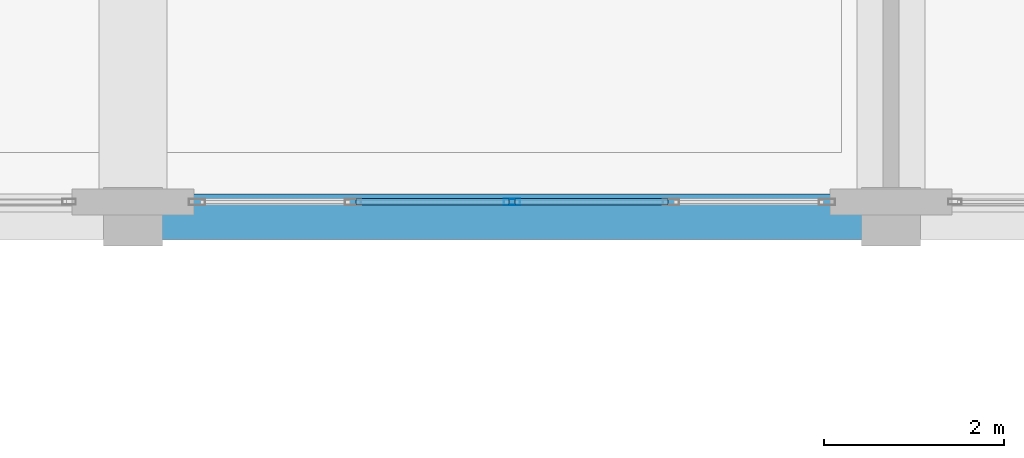
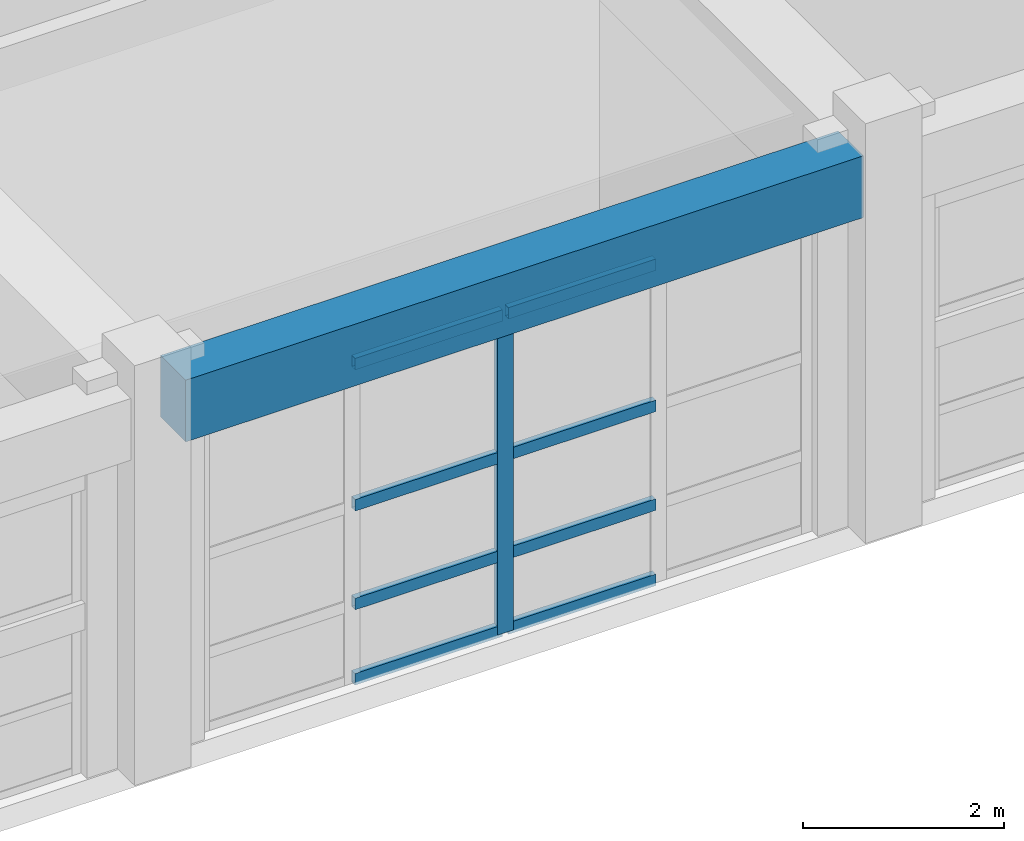
# One storey, part 32 of 78: 9 members, 1 beam, 1 element without a shape of its own.
"""IFC4 building model written with IfcOpenShell, lengths in metres."""

from ifc_helpers import new_model, si_unit, direction, frame, origin, origin_2d, place, context, subcontext, project, spatial, rectangle, hollow_rectangle, extrude, material, layer, layer_set, material_profile, profile_set, type_object, element, aggregate, save


model = new_model("IFC4")

# Units and contexts
model_context = context("Model", 3, precision=1e-05, world=origin(), true_north=direction((0.0, 1.0)))
body_context = subcontext(model_context, "Body", "Model", "MODEL_VIEW")
ifc_project = project(units=[si_unit("LENGTHUNIT", "METRE"), si_unit("AREAUNIT", "SQUARE_METRE"), si_unit("VOLUMEUNIT", "CUBIC_METRE"), si_unit("PLANEANGLEUNIT", "RADIAN"), si_unit("MASSUNIT", "GRAM", prefix="KILO")], contexts=[model_context])

# Site, building, storey
site_placement = place(None, origin())
site = spatial("IfcSite", under=ifc_project, at=site_placement, CompositionType="ELEMENT")
building_placement = place(site_placement, origin())
building = spatial("IfcBuilding", under=site, at=building_placement, Name="Quendrovan Civic Courthouse", CompositionType="ELEMENT")
storey_placement = place(building_placement, frame((0.0, 0.0, 10.199951171875)))
storey = spatial("IfcBuildingStorey", under=building, at=storey_placement, Name="L03", CompositionType="ELEMENT", Elevation=10.199951171875)

# Beam
ifc_material_1 = material(Name="Concrete C40/50", Category="concrete")
ifc_material_profile_1 = material_profile(ifc_material_1, rectangle(XDim=0.5, YDim=0.75, at=origin_2d()), Name="RC-BM-500x750")
ifc_profile_set_1 = profile_set([ifc_material_profile_1], Name="Concrete C40/50")
beam_type = type_object("IfcBeamType", Name="BM-RC750", PredefinedType="SPANDREL", material=ifc_profile_set_1)
beam_placement = place(storey_placement, frame((59.10498046875, 64.800048828125, 4.28515625), z_axis=(1.0, 0.0, 0.0), x_axis=(0.0, 1.0, 0.0)))
element("IfcBeam", 1, at=beam_placement, inside=storey, type_object=beam_type, Name="L03 Girder X0748", PredefinedType="SPANDREL", context=body_context, shape_type="SweptSolid", body=[
    extrude(rectangle(XDim=0.5, YDim=0.75, at=origin_2d()), origin(), (0.0, 0.0, 1.0), 7.7900390625),
])

# Curtain wall, members
ifc_material_2 = material(Name="Bronze anodised aluminium and low-E glass", Category="aluminium")
ifc_layer = layer(ifc_material_2, 0.179931640625, Name="Bronze anodised aluminium and low-E glass")
ifc_layer_set = layer_set([ifc_layer], Name="Bronze anodised aluminium and low-E glass")
curtain_wall_type = type_object("IfcCurtainWallType", Name="CW-U70x39", PredefinedType="USERDEFINED", material=ifc_layer_set)
curtain_wall_placement = place(storey_placement, origin())
curtain_wall = element("IfcCurtainWall", 2, at=curtain_wall_placement, inside=storey, type_object=curtain_wall_type, Name="L03 Unitised Hurricane Curtain Wall CW-134", ObjectType="UNITISED CURTAIN WALL", PredefinedType="USERDEFINED")
ifc_material_3 = material(Name="Bronze anodised aluminium", Category="aluminium")
ifc_material_profile_2 = material_profile(ifc_material_3, hollow_rectangle(XDim=0.070068359375, YDim=0.179931640625, WallThickness=0.00390625, at=origin_2d()), Name="CW-MULL-70x180")
ifc_profile_set_2 = profile_set([ifc_material_profile_2], Name="Bronze anodised aluminium")
member_type_1 = type_object("IfcMemberType", Name="CW-MULL-A", PredefinedType="MULLION", material=ifc_profile_set_2)
member_1_placement = place(storey_placement, frame((63.0, 64.965087890625, 0.0), z_axis=(0.0, 0.0, 1.0), x_axis=(0.0, -1.0, 0.0)))
member_1 = element("IfcMember", 3, at=member_1_placement, type_object=member_type_1, Name="CW-134 mullion 3", PredefinedType="MULLION", context=body_context, shape_type="SweptSolid", body=[
    extrude(hollow_rectangle(XDim=0.070068359375, YDim=0.179931640625, WallThickness=0.00390625, at=origin_2d()), origin(), (0.0, 0.0, 1.0), 3.900146484375),
])
ifc_material_profile_3 = material_profile(ifc_material_3, hollow_rectangle(XDim=0.070068359375, YDim=0.139892578125, WallThickness=0.00390625, at=origin_2d()), Name="CW-TRAN-70x140")
ifc_profile_set_3 = profile_set([ifc_material_profile_3], Name="Bronze anodised aluminium")
member_type_2 = type_object("IfcMemberType", Name="CW-TRAN-A", PredefinedType="USERDEFINED", material=ifc_profile_set_3)
member_2_placement = place(storey_placement, frame((64.7275390625, 64.965087890625, 0.03515625), z_axis=(-1.0, 0.0, 0.0), x_axis=(0.0, -1.0, 0.0)))
member_2 = element("IfcMember", 4, at=member_2_placement, type_object=member_type_2, Name="CW-134 transom 2.1", ObjectType="TRANSOM", PredefinedType="USERDEFINED", context=body_context, shape_type="SweptSolid", body=[
    extrude(hollow_rectangle(XDim=0.070068359375, YDim=0.139892578125, WallThickness=0.00390625, at=origin_2d()), origin(), (0.0, 0.0, 1.0), 1.692626953125),
])
member_3_placement = place(storey_placement, frame((64.7275390625, 64.965087890625, 0.949951171875), z_axis=(-1.0, 0.0, 0.0), x_axis=(0.0, -1.0, 0.0)))
member_3 = element("IfcMember", 5, at=member_3_placement, type_object=member_type_2, Name="CW-134 transom 2.2", ObjectType="TRANSOM", PredefinedType="USERDEFINED", context=body_context, shape_type="SweptSolid", body=[
    extrude(hollow_rectangle(XDim=0.070068359375, YDim=0.139892578125, WallThickness=0.00390625, at=origin_2d()), origin(), (0.0, 0.0, 1.0), 1.692626953125),
])
member_4_placement = place(storey_placement, frame((64.7275390625, 64.965087890625, 2.150146484375), z_axis=(-1.0, 0.0, 0.0), x_axis=(0.0, -1.0, 0.0)))
member_4 = element("IfcMember", 6, at=member_4_placement, type_object=member_type_2, Name="CW-134 transom 2.3", ObjectType="TRANSOM", PredefinedType="USERDEFINED", context=body_context, shape_type="SweptSolid", body=[
    extrude(hollow_rectangle(XDim=0.070068359375, YDim=0.139892578125, WallThickness=0.00390625, at=origin_2d()), origin(), (0.0, 0.0, 1.0), 1.692626953125),
])
member_5_placement = place(storey_placement, frame((64.7275390625, 64.965087890625, 3.864990234375), z_axis=(-1.0, 0.0, 0.0), x_axis=(0.0, -1.0, 0.0)))
member_5 = element("IfcMember", 7, at=member_5_placement, type_object=member_type_2, Name="CW-134 transom 2.4", ObjectType="TRANSOM", PredefinedType="USERDEFINED", context=body_context, shape_type="SweptSolid", body=[
    extrude(hollow_rectangle(XDim=0.070068359375, YDim=0.139892578125, WallThickness=0.00390625, at=origin_2d()), origin(), (0.0, 0.0, 1.0), 1.692626953125),
])
member_6_placement = place(storey_placement, frame((62.965087890625, 64.965087890625, 0.03515625), z_axis=(-1.0, 0.0, 0.0), x_axis=(0.0, -1.0, 0.0)))
member_6 = element("IfcMember", 8, at=member_6_placement, type_object=member_type_2, Name="CW-134 transom 3.1", ObjectType="TRANSOM", PredefinedType="USERDEFINED", context=body_context, shape_type="SweptSolid", body=[
    extrude(hollow_rectangle(XDim=0.070068359375, YDim=0.139892578125, WallThickness=0.00390625, at=origin_2d()), origin(), (0.0, 0.0, 1.0), 1.692626953125),
])
member_7_placement = place(storey_placement, frame((62.965087890625, 64.965087890625, 0.949951171875), z_axis=(-1.0, 0.0, 0.0), x_axis=(0.0, -1.0, 0.0)))
member_7 = element("IfcMember", 9, at=member_7_placement, type_object=member_type_2, Name="CW-134 transom 3.2", ObjectType="TRANSOM", PredefinedType="USERDEFINED", context=body_context, shape_type="SweptSolid", body=[
    extrude(hollow_rectangle(XDim=0.070068359375, YDim=0.139892578125, WallThickness=0.00390625, at=origin_2d()), origin(), (0.0, 0.0, 1.0), 1.692626953125),
])
member_8_placement = place(storey_placement, frame((62.965087890625, 64.965087890625, 2.150146484375), z_axis=(-1.0, 0.0, 0.0), x_axis=(0.0, -1.0, 0.0)))
member_8 = element("IfcMember", 10, at=member_8_placement, type_object=member_type_2, Name="CW-134 transom 3.3", ObjectType="TRANSOM", PredefinedType="USERDEFINED", context=body_context, shape_type="SweptSolid", body=[
    extrude(hollow_rectangle(XDim=0.070068359375, YDim=0.139892578125, WallThickness=0.00390625, at=origin_2d()), origin(), (0.0, 0.0, 1.0), 1.692626953125),
])
member_9_placement = place(storey_placement, frame((62.965087890625, 64.965087890625, 3.864990234375), z_axis=(-1.0, 0.0, 0.0), x_axis=(0.0, -1.0, 0.0)))
member_9 = element("IfcMember", 11, at=member_9_placement, type_object=member_type_2, Name="CW-134 transom 3.4", ObjectType="TRANSOM", PredefinedType="USERDEFINED", context=body_context, shape_type="SweptSolid", body=[
    extrude(hollow_rectangle(XDim=0.070068359375, YDim=0.139892578125, WallThickness=0.00390625, at=origin_2d()), origin(), (0.0, 0.0, 1.0), 1.692626953125),
])
aggregate(curtain_wall, [member_1, member_2, member_3, member_4, member_5, member_6, member_7, member_8, member_9])

save(model, "model.ifc")
